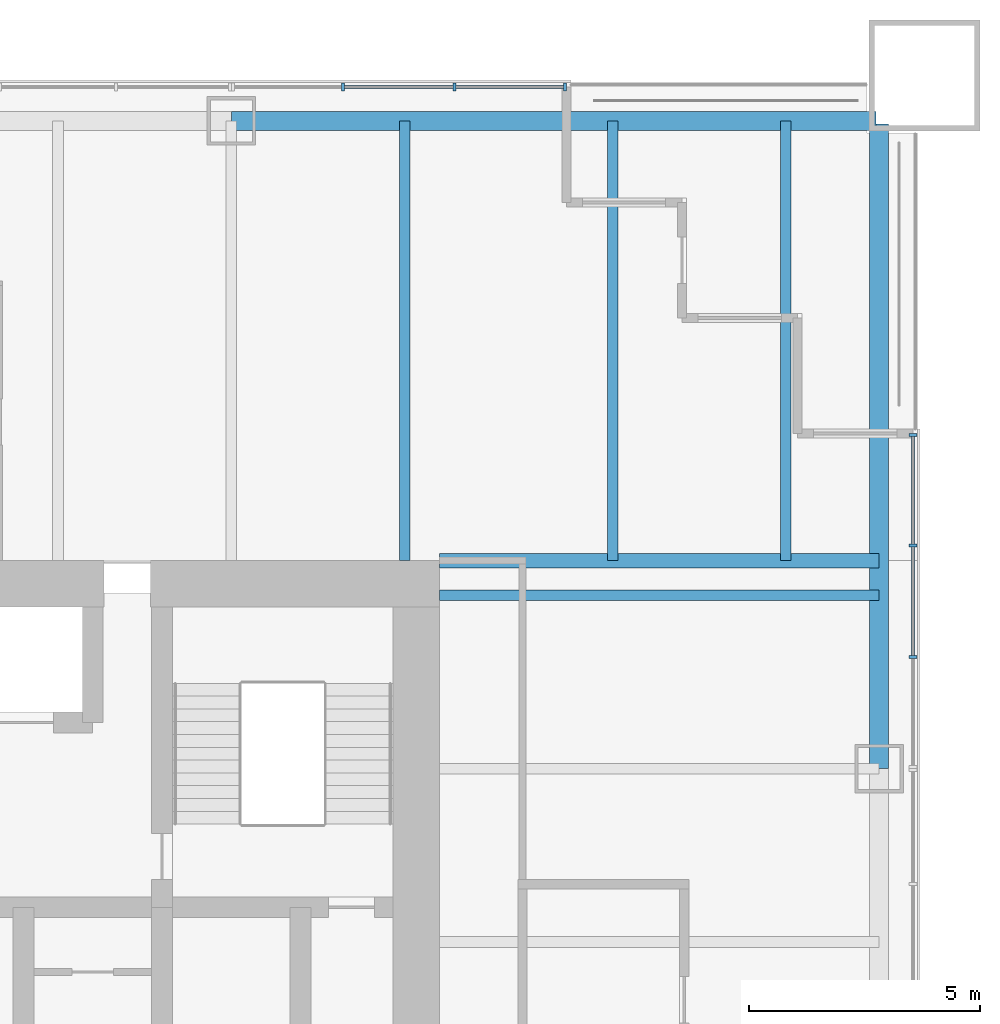
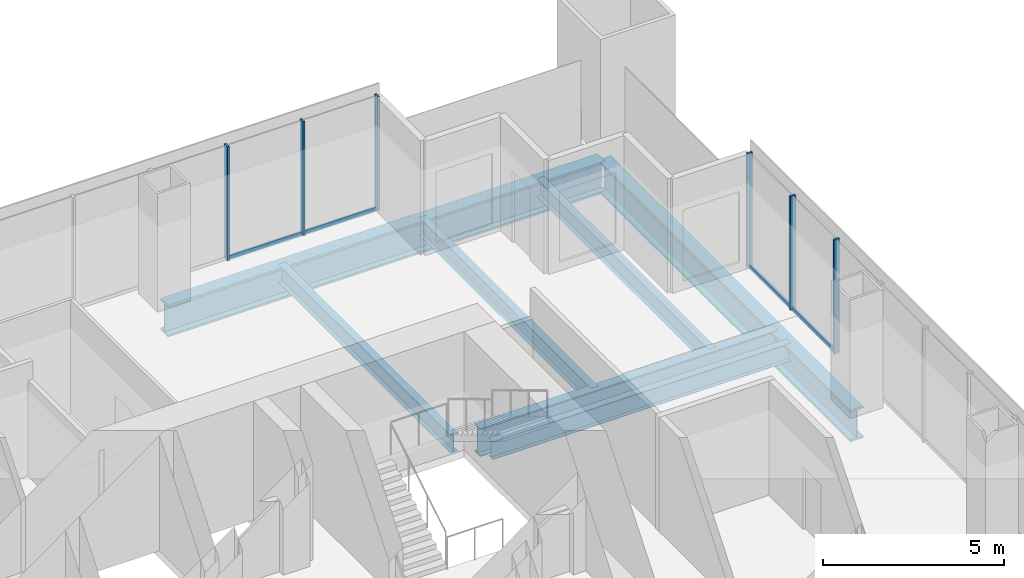
# One storey, part 6 of 13: 10 members, 7 beams, 2 elements without a shape of their own.
"""IFC4 building model written with IfcOpenShell, lengths in metres."""

from ifc_helpers import new_model, si_unit, direction, frame, origin, origin_2d, place, context, subcontext, project, spatial, rectangle, i_section, extrude, material, material_profile, profile_set, type_object, element, aggregate, save


model = new_model("IFC4")

# Units and contexts
model_context = context("Model", 3, precision=1e-05, world=origin(), true_north=direction((0.0, 1.0)))
body_context = subcontext(model_context, "Body", "Model", "MODEL_VIEW")
ifc_project = project(units=[si_unit("LENGTHUNIT", "METRE"), si_unit("AREAUNIT", "SQUARE_METRE"), si_unit("VOLUMEUNIT", "CUBIC_METRE"), si_unit("PLANEANGLEUNIT", "RADIAN"), si_unit("MASSUNIT", "GRAM", prefix="KILO")], contexts=[model_context])

# Site, building, storey
site_placement = place(None, origin())
site = spatial("IfcSite", under=ifc_project, at=site_placement, CompositionType="ELEMENT")
building_placement = place(site_placement, origin())
building = spatial("IfcBuilding", under=site, at=building_placement, Name="Tarangal Relay Tower", CompositionType="ELEMENT")
storey_placement = place(building_placement, frame((0.0, 0.0, 217.89990234375)))
storey = spatial("IfcBuildingStorey", under=building, at=storey_placement, Name="L46", CompositionType="ELEMENT", Elevation=217.89990234375)

# Beams
ifc_material_1 = material(Name="Steel ASTM A992", Category="steel")
ifc_material_profile_1 = material_profile(ifc_material_1, i_section(OverallWidth=0.227783203125, OverallDepth=0.60205078125, WebThickness=0.010498046875, FlangeThickness=0.014892578125, at=origin_2d()), Name="W24X68")
ifc_profile_set_1 = profile_set([ifc_material_profile_1], Name="Steel ASTM A992")
beam_type_1 = type_object("IfcBeamType", Name="Corner beam W24X68", PredefinedType="JOIST", material=ifc_profile_set_1)
for number, where, z_axis, x_axis, name in (
    (1, (15.75, 12.0, -0.450927734375), (0.0, 1.0, 0.0), (-1.0, 0.0, 0.0), "Corner beam CB11 N L46"),
    (2, (19.5, 12.0, -0.450927734375), (0.0, 1.0, 0.0), (-1.0, 0.0, 0.0), "Corner beam CB11 N L46"),
):
    element("IfcBeam", number, at=place(storey_placement, frame(where, z_axis=z_axis, x_axis=x_axis)), inside=storey, type_object=beam_type_1, Name=name, PredefinedType="JOIST", context=body_context, shape_type="SweptSolid", body=[
        extrude(i_section(OverallWidth=0.227783203125, OverallDepth=0.60205078125, WebThickness=0.010498046875, FlangeThickness=0.014892578125, at=origin_2d()), origin(), (0.0, 0.0, 1.0), 9.514892578125),
    ])
ifc_material_profile_2 = material_profile(ifc_material_1, i_section(OverallWidth=0.307373046875, OverallDepth=0.9423828125, WebThickness=0.022216796875, FlangeThickness=0.039794921875, at=origin_2d()), Name="W36X232")
ifc_profile_set_2 = profile_set([ifc_material_profile_2], Name="Steel ASTM A992")
beam_type_2 = type_object("IfcBeamType", Name="Corner girder W36X232", PredefinedType="BEAM", material=ifc_profile_set_2)
beam_placement = place(storey_placement, frame((12.0, 12.0, -0.62109375), z_axis=(1.0, 0.0, 0.0), x_axis=(0.0, 1.0, 0.0)))
element("IfcBeam", 3, at=beam_placement, inside=storey, type_object=beam_type_2, Name="Corner girder CG4 N L46", PredefinedType="BEAM", context=body_context, shape_type="SweptSolid", body=[
    extrude(i_section(OverallWidth=0.307373046875, OverallDepth=0.9423828125, WebThickness=0.022216796875, FlangeThickness=0.039794921875, at=origin_2d()), origin(), (0.0, 0.0, 1.0), 9.514892578125),
])
ifc_material_profile_3 = material_profile(ifc_material_1, i_section(OverallWidth=0.41650390625, OverallDepth=1.0693359375, WebThickness=0.0390625, FlangeThickness=0.070068359375, at=origin_2d()), Name="W40X503")
ifc_profile_set_3 = profile_set([ifc_material_profile_3], Name="Steel ASTM A992")
beam_type_3 = type_object("IfcBeamType", Name="Edge girder W40X503", PredefinedType="SPANDREL", material=ifc_profile_set_3)
for number, where, z_axis, x_axis, name in (
    (4, (7.5, 21.514892578125, -0.6845703125), (1.0, 0.0, 0.0), (0.0, 1.0, 0.0), "Edge girder EG8 N L46"),
    (5, (21.514892578125, 21.449951171875, -0.6845703125), (0.0, -1.0, 0.0), (1.0, 0.0, 0.0), "Edge girder EG8 E L46"),
):
    element("IfcBeam", number, at=place(storey_placement, frame(where, z_axis=z_axis, x_axis=x_axis)), inside=storey, type_object=beam_type_3, Name=name, PredefinedType="SPANDREL", context=body_context, shape_type="SweptSolid", body=[
        extrude(i_section(OverallWidth=0.41650390625, OverallDepth=1.0693359375, WebThickness=0.0390625, FlangeThickness=0.070068359375, at=origin_2d()), origin(), (0.0, 0.0, 1.0), 13.949951171875),
    ])
ifc_material_profile_4 = material_profile(ifc_material_1, i_section(OverallWidth=0.22900390625, OverallDepth=0.612060546875, WebThickness=0.011962890625, FlangeThickness=0.01953125, at=origin_2d()), Name="W24X84")
ifc_profile_set_4 = profile_set([ifc_material_profile_4], Name="Steel ASTM A992")
beam_type_4 = type_object("IfcBeamType", Name="Floor beam W24X84", PredefinedType="BEAM", material=ifc_profile_set_4)
for number, where, z_axis, x_axis, name in (
    (6, (11.25, 12.0, -0.455810546875), (0.0, 1.0, 0.0), (-1.0, 0.0, 0.0), "Floor beam RB12 N L46"),
    (7, (12.0, 11.25, -0.455810546875), (1.0, 0.0, 0.0), (0.0, 1.0, 0.0), "Floor beam RB12 E L46"),
):
    element("IfcBeam", number, at=place(storey_placement, frame(where, z_axis=z_axis, x_axis=x_axis)), inside=storey, type_object=beam_type_4, Name=name, PredefinedType="BEAM", context=body_context, shape_type="SweptSolid", body=[
        extrude(i_section(OverallWidth=0.22900390625, OverallDepth=0.612060546875, WebThickness=0.011962890625, FlangeThickness=0.01953125, at=origin_2d()), origin(), (0.0, 0.0, 1.0), 9.514892578125),
    ])

# Curtain wall, members
ifc_material_2 = material(Name="Unitised curtain wall, dark glass and black aluminium", Category="aluminium")
curtain_wall_type = type_object("IfcCurtainWallType", Name="Curtain wall CW-A", PredefinedType="USERDEFINED", material=ifc_material_2)
curtain_wall_1_placement = place(storey_placement, origin())
curtain_wall_1 = element("IfcCurtainWall", 8, at=curtain_wall_1_placement, inside=storey, type_object=curtain_wall_type, Name="Curtain wall CW-A N facade L46", ObjectType="UNITISED CURTAIN WALL", PredefinedType="USERDEFINED")
ifc_material_3 = material(Name="Black anodised aluminium mullion", Category="aluminium")
ifc_material_profile_5 = material_profile(ifc_material_3, rectangle(XDim=0.175048828125, YDim=0.06494140625, at=origin_2d()), Name="CW-AM 65X175")
ifc_profile_set_5 = profile_set([ifc_material_profile_5], Name="Black anodised aluminium mullion")
member_type_1 = type_object("IfcMemberType", Name="Mullion CW-A 65 x 175", PredefinedType="MULLION", material=ifc_profile_set_5)
member_1_placement = place(storey_placement, frame((9.916748046875, 22.25, 0.0), z_axis=(0.0, 0.0, 1.0), x_axis=(0.0, 1.0, 0.0)))
member_1 = element("IfcMember", 9, at=member_1_placement, type_object=member_type_1, Name="CW-A mullion 2", PredefinedType="MULLION", context=body_context, shape_type="SweptSolid", body=[
    extrude(rectangle(XDim=0.175048828125, YDim=0.06494140625, at=origin_2d()), origin(), (0.0, 0.0, 1.0), 3.85009765625),
])
member_2_placement = place(storey_placement, frame((12.333251953125, 22.25, 0.0), z_axis=(0.0, 0.0, 1.0), x_axis=(0.0, 1.0, 0.0)))
member_2 = element("IfcMember", 10, at=member_2_placement, type_object=member_type_1, Name="CW-A mullion 3", PredefinedType="MULLION", context=body_context, shape_type="SweptSolid", body=[
    extrude(rectangle(XDim=0.175048828125, YDim=0.06494140625, at=origin_2d()), origin(), (0.0, 0.0, 1.0), 3.85009765625),
])
member_3_placement = place(storey_placement, frame((14.717529296875, 22.25, 0.0), z_axis=(0.0, 0.0, 1.0), x_axis=(0.0, 1.0, 0.0)))
member_3 = element("IfcMember", 11, at=member_3_placement, type_object=member_type_1, Name="CW-A mullion 4", PredefinedType="MULLION", context=body_context, shape_type="SweptSolid", body=[
    extrude(rectangle(XDim=0.175048828125, YDim=0.06494140625, at=origin_2d()), origin(), (0.0, 0.0, 1.0), 3.85009765625),
])

curtain_wall_2_placement = place(storey_placement, origin())
curtain_wall_2 = element("IfcCurtainWall", 12, at=curtain_wall_2_placement, inside=storey, type_object=curtain_wall_type, Name="Curtain wall CW-A E facade L46", ObjectType="UNITISED CURTAIN WALL", PredefinedType="USERDEFINED")
member_4_placement = place(storey_placement, frame((22.25, 14.717529296875, 0.0), z_axis=(0.0, 0.0, 1.0), x_axis=(1.0, 0.0, 0.0)))
member_4 = element("IfcMember", 13, at=member_4_placement, type_object=member_type_1, Name="CW-A mullion 1", PredefinedType="MULLION", context=body_context, shape_type="SweptSolid", body=[
    extrude(rectangle(XDim=0.175048828125, YDim=0.06494140625, at=origin_2d()), origin(), (0.0, 0.0, 1.0), 3.85009765625),
])
member_5_placement = place(storey_placement, frame((22.25, 12.333251953125, 0.0), z_axis=(0.0, 0.0, 1.0), x_axis=(1.0, 0.0, 0.0)))
member_5 = element("IfcMember", 14, at=member_5_placement, type_object=member_type_1, Name="CW-A mullion 2", PredefinedType="MULLION", context=body_context, shape_type="SweptSolid", body=[
    extrude(rectangle(XDim=0.175048828125, YDim=0.06494140625, at=origin_2d()), origin(), (0.0, 0.0, 1.0), 3.85009765625),
])
member_6_placement = place(storey_placement, frame((22.25, 9.916748046875, 0.0), z_axis=(0.0, 0.0, 1.0), x_axis=(1.0, 0.0, 0.0)))
member_6 = element("IfcMember", 15, at=member_6_placement, type_object=member_type_1, Name="CW-A mullion 3", PredefinedType="MULLION", context=body_context, shape_type="SweptSolid", body=[
    extrude(rectangle(XDim=0.175048828125, YDim=0.06494140625, at=origin_2d()), origin(), (0.0, 0.0, 1.0), 3.85009765625),
])

# Member
ifc_material_4 = material(Name="Black anodised aluminium transom", Category="aluminium")
ifc_material_profile_6 = material_profile(ifc_material_4, rectangle(XDim=0.06494140625, YDim=0.14990234375, at=origin_2d()), Name="CW-AT 65X150")
ifc_profile_set_6 = profile_set([ifc_material_profile_6], Name="Black anodised aluminium transom")
member_type_2 = type_object("IfcMemberType", Name="Transom CW-A 65 x 150", PredefinedType="USERDEFINED", material=ifc_profile_set_6)
member_7_placement = place(storey_placement, frame((9.94921875, 22.25, 0.03271484375), z_axis=(1.0, 0.0, 0.0), x_axis=(0.0, 1.0, 0.0)))
member_7 = element("IfcMember", 16, at=member_7_placement, type_object=member_type_2, Name="CW-A transom 2.1", ObjectType="TRANSOM", PredefinedType="USERDEFINED", context=body_context, shape_type="SweptSolid", body=[
    extrude(rectangle(XDim=0.06494140625, YDim=0.14990234375, at=origin_2d()), origin(), (0.0, 0.0, 1.0), 2.3515625),
])

member_8_placement = place(storey_placement, frame((12.36572265625, 22.25, 0.03271484375), z_axis=(1.0, 0.0, 0.0), x_axis=(0.0, 1.0, 0.0)))
member_8 = element("IfcMember", 17, at=member_8_placement, type_object=member_type_2, Name="CW-A transom 3.1", ObjectType="TRANSOM", PredefinedType="USERDEFINED", context=body_context, shape_type="SweptSolid", body=[
    extrude(rectangle(XDim=0.06494140625, YDim=0.14990234375, at=origin_2d()), origin(), (0.0, 0.0, 1.0), 2.3193359375),
])

aggregate(curtain_wall_1, [member_1, member_2, member_3, member_7, member_8])

member_9_placement = place(storey_placement, frame((22.25, 14.68505859375, 0.03271484375), z_axis=(0.0, -1.0, 0.0), x_axis=(1.0, 0.0, 0.0)))
member_9 = element("IfcMember", 18, at=member_9_placement, type_object=member_type_2, Name="CW-A transom 1.1", ObjectType="TRANSOM", PredefinedType="USERDEFINED", context=body_context, shape_type="SweptSolid", body=[
    extrude(rectangle(XDim=0.06494140625, YDim=0.14990234375, at=origin_2d()), origin(), (0.0, 0.0, 1.0), 2.3193359375),
])

member_10_placement = place(storey_placement, frame((22.25, 12.30078125, 0.03271484375), z_axis=(0.0, -1.0, 0.0), x_axis=(1.0, 0.0, 0.0)))
member_10 = element("IfcMember", 19, at=member_10_placement, type_object=member_type_2, Name="CW-A transom 2.1", ObjectType="TRANSOM", PredefinedType="USERDEFINED", context=body_context, shape_type="SweptSolid", body=[
    extrude(rectangle(XDim=0.06494140625, YDim=0.14990234375, at=origin_2d()), origin(), (0.0, 0.0, 1.0), 2.3515625),
])

aggregate(curtain_wall_2, [member_4, member_5, member_6, member_9, member_10])

save(model, "model.ifc")
